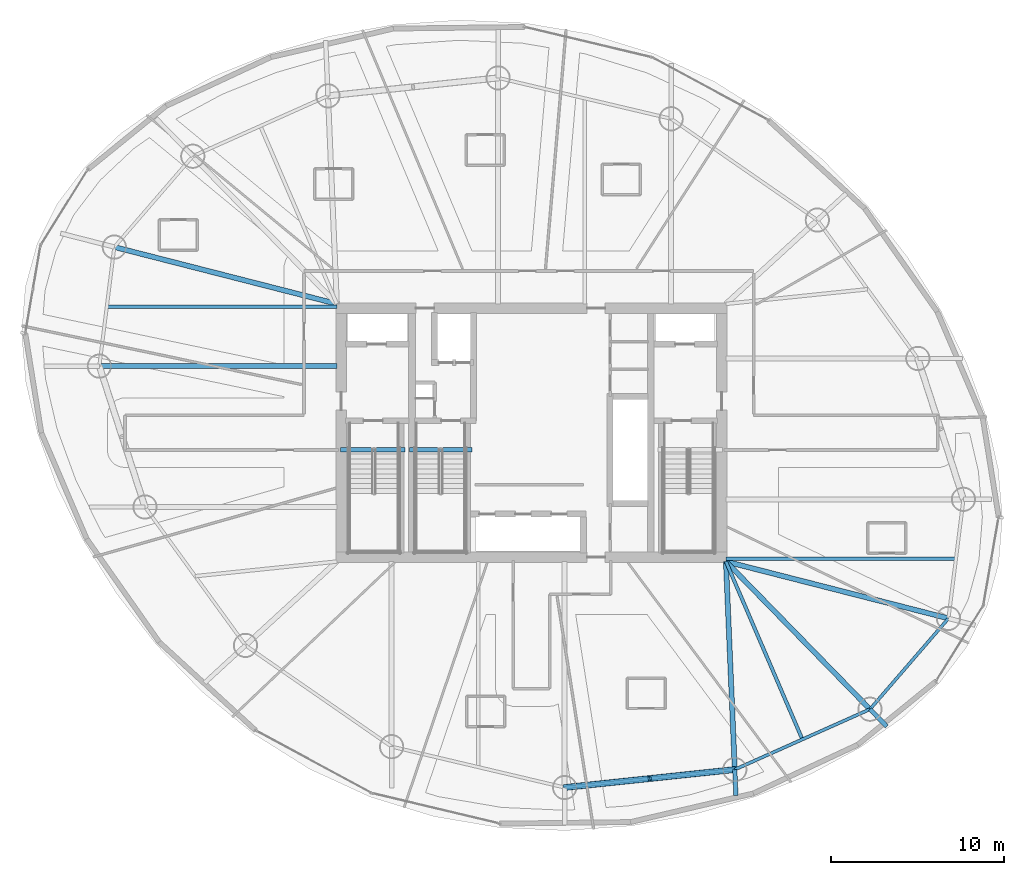
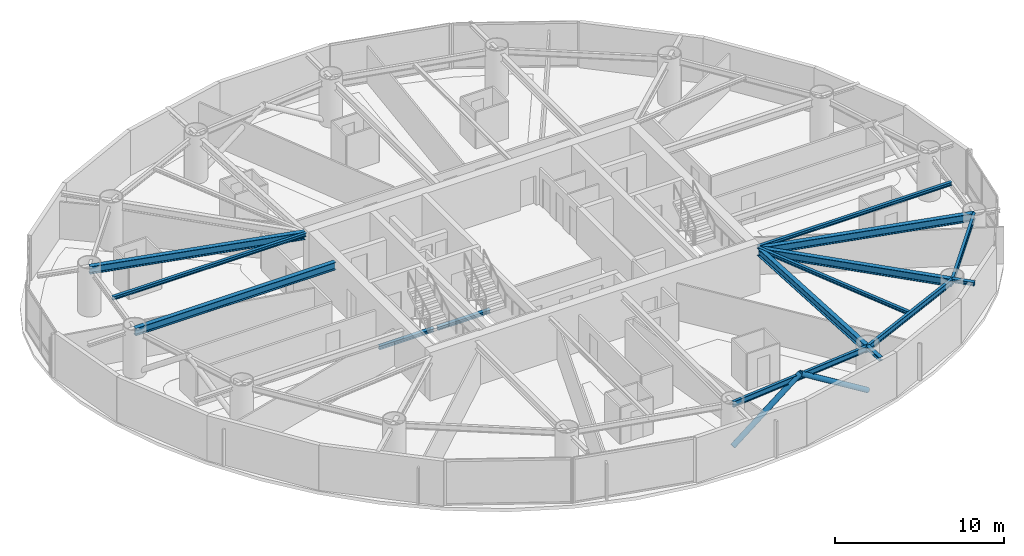
# One storey, part 6 of 22: 15 beams, 2 members.
"""IFC4 building model written with IfcOpenShell, lengths in metres."""

from ifc_helpers import new_model, si_unit, direction, frame, origin, origin_2d, place, context, subcontext, project, spatial, hollow_circle, i_section, extrude, material, material_profile, profile_set, type_object, element, save


model = new_model("IFC4")

# Units and contexts
model_context = context("Model", 3, precision=1e-05, world=origin(), true_north=direction((0.0, 1.0)))
body_context = subcontext(model_context, "Body", "Model", "MODEL_VIEW")
ifc_project = project(units=[si_unit("LENGTHUNIT", "METRE"), si_unit("AREAUNIT", "SQUARE_METRE"), si_unit("VOLUMEUNIT", "CUBIC_METRE"), si_unit("PLANEANGLEUNIT", "RADIAN"), si_unit("MASSUNIT", "GRAM", prefix="KILO")], contexts=[model_context])

# Site, building, storey
site_placement = place(None, origin())
site = spatial("IfcSite", under=ifc_project, at=site_placement, CompositionType="ELEMENT")
building_placement = place(site_placement, origin())
building = spatial("IfcBuilding", under=site, at=building_placement, Name="Bramvorn Convention Spire", CompositionType="ELEMENT")
storey_placement = place(building_placement, frame((0.0, 0.0, 116.800048828125)))
storey = spatial("IfcBuildingStorey", under=building, at=storey_placement, Name="L28", CompositionType="ELEMENT", Elevation=116.800048828125)

# Beams
ifc_material = material(Name="Steel CSA G40.21 Grade 350 (350W)", Category="steel")
ifc_material_profile_1 = material_profile(ifc_material, i_section(OverallWidth=0.201904296875, OverallDepth=0.2470703125, WebThickness=0.00732421875, FlangeThickness=0.010986328125, FilletRadius=0.011962890625, at=origin_2d()))
ifc_profile_set_1 = profile_set([ifc_material_profile_1], Name="Steel CSA G40.21 Grade 350 (350W) - W250X49")
beam_type_1 = type_object("IfcBeamType", Name="BM-W250X49", PredefinedType="JOIST", material=ifc_profile_set_1)
for number, where, z_axis, x_axis, name in (
    (1, (49.25, 18.705078125, 3.136474609375), (1.0, 0.0, 0.0), (0.0, 1.0, 0.0), "L28 composite floor joist 01"),
    (2, (26.75, 33.294921875, 3.136474609375), (-1.0, 0.0, 0.0), (0.0, -1.0, 0.0), "L28 composite floor joist 09"),
):
    element("IfcBeam", number, at=place(storey_placement, frame(where, z_axis=z_axis, x_axis=x_axis)), inside=storey, type_object=beam_type_1, Name=name, PredefinedType="JOIST", context=body_context, shape_type="SweptSolid", body=[
        extrude(i_section(OverallWidth=0.201904296875, OverallDepth=0.2470703125, WebThickness=0.00732421875, FlangeThickness=0.010986328125, FilletRadius=0.011962890625, at=origin_2d()), origin(), (0.0, 0.0, 1.0), 13.30078125),
    ])
beam_1_placement = place(storey_placement, frame((49.25, 18.550048828125, 3.136474609375), z_axis=(0.394937739893, -0.918707886985, 0.0), x_axis=(0.918707886985, 0.394937739893, 0.0)))
element("IfcBeam", 3, at=beam_1_placement, inside=storey, type_object=beam_type_1, Name="L28 composite floor joist 15", PredefinedType="JOIST", context=body_context, shape_type="SweptSolid", body=[
    extrude(i_section(OverallWidth=0.201904296875, OverallDepth=0.2470703125, WebThickness=0.00732421875, FlangeThickness=0.010986328125, FilletRadius=0.011962890625, at=origin_2d()), origin(), (0.0, 0.0, 1.0), 11.19384765625),
])
ifc_material_profile_2 = material_profile(ifc_material, i_section(OverallWidth=0.25390625, OverallDepth=0.2529296875, WebThickness=0.008544921875, FlangeThickness=0.01416015625, FilletRadius=0.011962890625, at=origin_2d()))
ifc_profile_set_2 = profile_set([ifc_material_profile_2], Name="Steel CSA G40.21 Grade 350 (350W) - W250X73")
beam_type_2 = type_object("IfcBeamType", Name="BM-W250X73", PredefinedType="BEAM", material=ifc_profile_set_2)
beam_2_placement = place(storey_placement, frame((49.76171875, 6.521240234375, 3.133544921875), z_axis=(0.042573609775, -0.999093332853, 0.0), x_axis=(0.999093332853, 0.042573609775, 0.0)))
element("IfcBeam", 4, at=beam_2_placement, inside=storey, type_object=beam_type_2, Name="L28 slab-edge cantilever tip beam MC15", PredefinedType="BEAM", context=body_context, shape_type="SweptSolid", body=[
    extrude(i_section(OverallWidth=0.25390625, OverallDepth=0.2529296875, WebThickness=0.008544921875, FlangeThickness=0.01416015625, FilletRadius=0.011962890625, at=origin_2d()), origin(), (0.0, 0.0, 1.0), 1.496826171875),
])
beam_3_placement = place(storey_placement, frame((57.579833984375, 10.0107421875, 3.133544921875), z_axis=(0.698354594966, -0.715751954025, 0.0), x_axis=(0.715751954025, 0.698354594966, 0.0)))
element("IfcBeam", 5, at=beam_3_placement, inside=storey, type_object=beam_type_2, Name="L28 slab-edge cantilever tip beam MC16", PredefinedType="BEAM", context=body_context, shape_type="SweptSolid", body=[
    extrude(i_section(OverallWidth=0.25390625, OverallDepth=0.2529296875, WebThickness=0.008544921875, FlangeThickness=0.01416015625, FilletRadius=0.011962890625, at=origin_2d()), origin(), (0.0, 0.0, 1.0), 1.389404296875),
])
beam_4_placement = place(storey_placement, frame((26.949951171875, 25.010009765625, -0.12646484375), z_axis=(1.0, 0.0, 0.0), x_axis=(0.0, 1.0, 0.0)))
element("IfcBeam", 6, at=beam_4_placement, inside=storey, type_object=beam_type_2, Name="L28 ST1 stair arrival header beam", PredefinedType="BEAM", context=body_context, shape_type="SweptSolid", body=[
    extrude(i_section(OverallWidth=0.25390625, OverallDepth=0.2529296875, WebThickness=0.008544921875, FlangeThickness=0.01416015625, FilletRadius=0.011962890625, at=origin_2d()), origin(), (0.0, 0.0, 1.0), 3.739990234375),
])
beam_5_placement = place(storey_placement, frame((30.949951171875, 25.010009765625, -0.12646484375), z_axis=(1.0, 0.0, 0.0), x_axis=(0.0, 1.0, 0.0)))
element("IfcBeam", 7, at=beam_5_placement, inside=storey, type_object=beam_type_2, Name="L28 ST3 stair arrival header beam", PredefinedType="BEAM", context=body_context, shape_type="SweptSolid", body=[
    extrude(i_section(OverallWidth=0.25390625, OverallDepth=0.2529296875, WebThickness=0.008544921875, FlangeThickness=0.01416015625, FilletRadius=0.011962890625, at=origin_2d()), origin(), (0.0, 0.0, 1.0), 3.610107421875),
])
ifc_material_profile_3 = material_profile(ifc_material, i_section(OverallWidth=0.180908203125, OverallDepth=0.4169921875, WebThickness=0.010986328125, FlangeThickness=0.018310546875, FilletRadius=0.01611328125, at=origin_2d()))
ifc_profile_set_3 = profile_set([ifc_material_profile_3], Name="Steel CSA G40.21 Grade 350 (350W) - W410X85")
beam_type_3 = type_object("IfcBeamType", Name="BM-W410X85", PredefinedType="JOIST", material=ifc_profile_set_3)
beam_6_placement = place(storey_placement, frame((39.924072265625, 5.482666015625, 3.051513671875), z_axis=(0.994473491975, 0.104987969596, 0.0), x_axis=(-0.104987969596, 0.994473491975, 0.0)))
element("IfcBeam", 8, at=beam_6_placement, inside=storey, type_object=beam_type_3, Name="L28 mega-column ring beam 14", PredefinedType="JOIST", context=body_context, shape_type="SweptSolid", body=[
    extrude(i_section(OverallWidth=0.180908203125, OverallDepth=0.4169921875, WebThickness=0.010986328125, FlangeThickness=0.018310546875, FilletRadius=0.01611328125, at=origin_2d()), origin(), (0.0, 0.0, 1.0), 9.892333984375),
])
beam_7_placement = place(storey_placement, frame((49.76171875, 6.521240234375, 3.051513671875), z_axis=(0.913169534701, 0.407579931908, 0.0), x_axis=(-0.407579931908, 0.913169534701, 0.0)))
element("IfcBeam", 9, at=beam_7_placement, inside=storey, type_object=beam_type_3, Name="L28 mega-column ring beam 15", PredefinedType="JOIST", context=body_context, shape_type="SweptSolid", body=[
    extrude(i_section(OverallWidth=0.180908203125, OverallDepth=0.4169921875, WebThickness=0.010986328125, FlangeThickness=0.018310546875, FilletRadius=0.01611328125, at=origin_2d()), origin(), (0.0, 0.0, 1.0), 8.5615234375),
])
beam_8_placement = place(storey_placement, frame((57.579833984375, 10.0107421875, 3.051513671875), z_axis=(0.653824993824, 0.756645807132, 0.0), x_axis=(-0.756645807132, 0.653824993824, 0.0)))
element("IfcBeam", 10, at=beam_8_placement, inside=storey, type_object=beam_type_3, Name="L28 mega-column ring beam 16", PredefinedType="JOIST", context=body_context, shape_type="SweptSolid", body=[
    extrude(i_section(OverallWidth=0.180908203125, OverallDepth=0.4169921875, WebThickness=0.010986328125, FlangeThickness=0.018310546875, FilletRadius=0.01611328125, at=origin_2d()), origin(), (0.0, 0.0, 1.0), 6.9404296875),
])
ifc_material_profile_4 = material_profile(ifc_material, i_section(OverallWidth=0.2919921875, OverallDepth=0.551025390625, WebThickness=0.01513671875, FlangeThickness=0.0244140625, FilletRadius=0.01904296875, at=origin_2d()))
ifc_profile_set_4 = profile_set([ifc_material_profile_4], Name="Steel CSA G40.21 Grade 350 (350W) - W530X182")
beam_type_4 = type_object("IfcBeamType", Name="BM-W530X182", PredefinedType="BEAM", material=ifc_profile_set_4)
for number, where, z_axis, x_axis, name in (
    (11, (49.25, 18.550048828125, 2.984375), (0.968872976577, -0.247558387576, 0.0), (0.247558387576, 0.968872976577, 0.0), "L28 radial floor girder MC01"),
    (12, (26.75, 33.449951171875, 2.984375), (-0.968872976577, 0.247558387576, 0.0), (-0.247558387576, -0.968872976577, 0.0), "L28 radial floor girder MC09"),
):
    element("IfcBeam", number, at=place(storey_placement, frame(where, z_axis=z_axis, x_axis=x_axis)), inside=storey, type_object=beam_type_4, Name=name, PredefinedType="BEAM", context=body_context, shape_type="SweptSolid", body=[
        extrude(i_section(OverallWidth=0.2919921875, OverallDepth=0.551025390625, WebThickness=0.01513671875, FlangeThickness=0.0244140625, FilletRadius=0.01904296875, at=origin_2d()), origin(), (0.0, 0.0, 1.0), 13.281005859375),
    ])
beam_9_placement = place(storey_placement, frame((26.75, 29.851806640625, 2.984375), z_axis=(-1.0, 0.0, 0.0), x_axis=(0.0, -1.0, 0.0)))
element("IfcBeam", 13, at=beam_9_placement, inside=storey, type_object=beam_type_4, Name="L28 radial floor girder MC10", PredefinedType="BEAM", context=body_context, shape_type="SweptSolid", body=[
    extrude(i_section(OverallWidth=0.2919921875, OverallDepth=0.551025390625, WebThickness=0.01513671875, FlangeThickness=0.0244140625, FilletRadius=0.01904296875, at=origin_2d()), origin(), (0.0, 0.0, 1.0), 13.733642578125),
])
beam_10_placement = place(storey_placement, frame((49.25, 18.550048828125, 2.984375), z_axis=(0.042502657955, -0.999096353745, 0.0), x_axis=(0.999096353745, 0.042502657955, 0.0)))
element("IfcBeam", 14, at=beam_10_placement, inside=storey, type_object=beam_type_4, Name="L28 radial floor girder MC15", PredefinedType="BEAM", context=body_context, shape_type="SweptSolid", body=[
    extrude(i_section(OverallWidth=0.2919921875, OverallDepth=0.551025390625, WebThickness=0.01513671875, FlangeThickness=0.0244140625, FilletRadius=0.01904296875, at=origin_2d()), origin(), (0.0, 0.0, 1.0), 12.039794921875),
])
beam_11_placement = place(storey_placement, frame((49.25, 18.550048828125, 2.984375), z_axis=(0.698272445638, -0.715832097397, 0.0), x_axis=(0.715832097397, 0.698272445638, 0.0)))
element("IfcBeam", 15, at=beam_11_placement, inside=storey, type_object=beam_type_4, Name="L28 radial floor girder MC16", PredefinedType="BEAM", context=body_context, shape_type="SweptSolid", body=[
    extrude(i_section(OverallWidth=0.2919921875, OverallDepth=0.551025390625, WebThickness=0.01513671875, FlangeThickness=0.0244140625, FilletRadius=0.01904296875, at=origin_2d()), origin(), (0.0, 0.0, 1.0), 11.92919921875),
])

# Members
ifc_material_profile_5 = material_profile(ifc_material, hollow_circle(Radius=0.177734375, WallThickness=0.015869140625, at=origin_2d()))
ifc_profile_set_5 = profile_set([ifc_material_profile_5], Name="Steel CSA G40.21 Grade 350 (350W) - CHS356X16")
member_type = type_object("IfcMemberType", Name="MBR-CHS356X16", PredefinedType="BRACE", material=ifc_profile_set_5)
member_1_placement = place(storey_placement, frame((39.924072265625, 5.482666015625, 0.0), z_axis=(0.830346972509, 0.087658725954, 0.550308870553), x_axis=(-0.104985392894, 0.994473763997, 0.0)))
element("IfcMember", 16, at=member_1_placement, inside=storey, type_object=member_type, Name="L28 perimeter Gothic lancet brace 14A", PredefinedType="BRACE", context=body_context, shape_type="SweptSolid", body=[
    extrude(hollow_circle(Radius=0.177734375, WallThickness=0.015869140625, at=origin_2d()), origin(), (0.0, 0.0, 1.0), 5.924072265625),
])
member_2_placement = place(storey_placement, frame((49.76171875, 6.521240234375, 0.0), z_axis=(-0.830334174424, -0.087661725766, 0.550327702937), x_axis=(0.104990546424, -0.994473219932, 0.0)))
element("IfcMember", 17, at=member_2_placement, inside=storey, type_object=member_type, Name="L28 perimeter Gothic lancet brace 14B", PredefinedType="BRACE", context=body_context, shape_type="SweptSolid", body=[
    extrude(hollow_circle(Radius=0.177734375, WallThickness=0.015869140625, at=origin_2d()), origin(), (0.0, 0.0, 1.0), 5.923828125),
])

save(model, "model.ifc")
